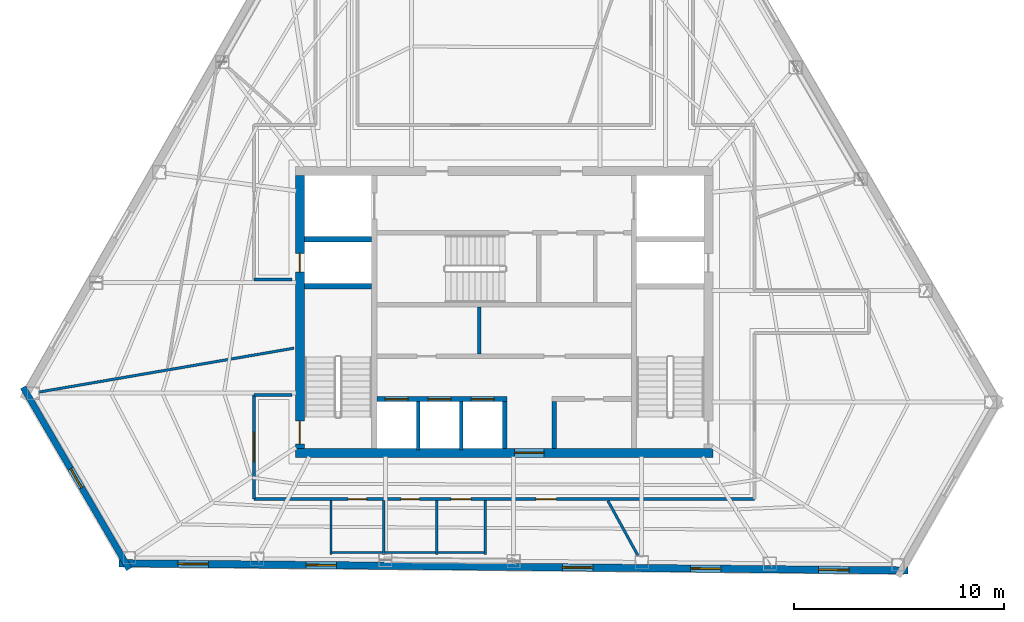
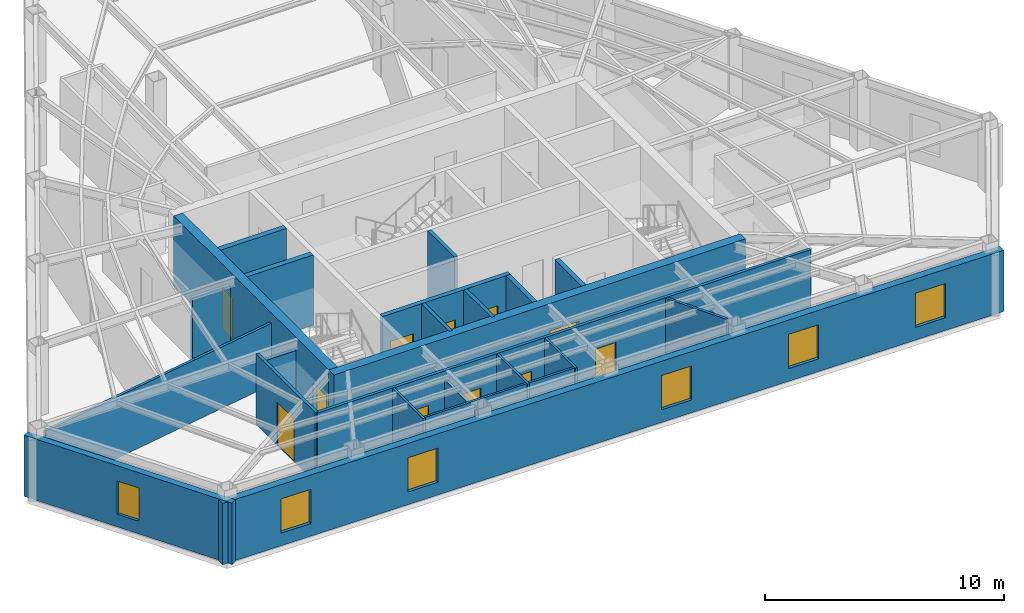
# One storey, part 7 of 10: 23 walls, 11 doors, 6 windows, 17 openings.
"""IFC4 building model written with IfcOpenShell, lengths in metres."""

from ifc_helpers import new_model, si_unit, direction, frame, frame_2d, origin, place, context, subcontext, project, spatial, rectangle, extrude, material, layer, layer_set, type_object, element, fill, save


model = new_model("IFC4")

# Units and contexts
model_context = context("Model", 3, precision=1e-05, world=origin(), true_north=direction((0.0, 1.0)))
body_context = subcontext(model_context, "Body", "Model", "MODEL_VIEW")
ifc_project = project(units=[si_unit("LENGTHUNIT", "METRE"), si_unit("AREAUNIT", "SQUARE_METRE"), si_unit("VOLUMEUNIT", "CUBIC_METRE"), si_unit("PLANEANGLEUNIT", "RADIAN"), si_unit("MASSUNIT", "GRAM", prefix="KILO")], contexts=[model_context])

# Site, building, storey
site_placement = place(None, origin())
site = spatial("IfcSite", under=ifc_project, at=site_placement, CompositionType="ELEMENT")
building_placement = place(site_placement, origin())
building = spatial("IfcBuilding", under=site, at=building_placement, Name="Kavelnor Concourse Tower", CompositionType="ELEMENT")
storey_placement = place(building_placement, frame((0.0, 0.0, 180.39990234375)))
storey = spatial("IfcBuildingStorey", under=building, at=storey_placement, Name="L45", CompositionType="ELEMENT", Elevation=180.39990234375)

# Wall, opening, door
ifc_material_1 = material(Name="Concrete C50/60", Category="concrete")
ifc_layer_1 = layer(ifc_material_1, 0.43994140625, Name="Concrete C50/60")
ifc_layer_set_1 = layer_set([ifc_layer_1], Name="Concrete C50/60")
wall_type_1 = type_object("IfcWallType", Name="WL-CORE-Z3-440", PredefinedType="SOLIDWALL", material=ifc_layer_set_1)
wall_1_placement = place(storey_placement, frame((28.0400390625, 9.3798828125, 0.0), z_axis=(0.0, 0.0, 1.0), x_axis=(1.0, 0.0, 0.0)))
wall_1 = element("IfcWall", 1, at=wall_1_placement, inside=storey, type_object=wall_type_1, Name="L45 Central Core South Shear Wall", PredefinedType="SOLIDWALL", context=body_context, shape_type="SweptSolid", body=[
    extrude(rectangle(XDim=19.919921875, YDim=0.43994140625, at=frame_2d((9.9599609375, 0.0))), origin(), (0.0, 0.0, 1.0), 3.60009765625),
])
opening_1_placement = place(wall_1_placement, frame((10.4599609375, 0.0, 0.0)))
opening_1 = element("IfcOpeningElement", 2, at=opening_1_placement, cuts=wall_1, Name="Opening SD-140", PredefinedType="OPENING", context=body_context, shape_type="SweptSolid", body=[
    extrude(rectangle(XDim=1.39990234375, YDim=2.199951171875, at=frame_2d((0.699951171875, 1.10009765625))), frame((0.0, 0.22998046875, 0.0), z_axis=(0.0, -1.0, 0.0), x_axis=(1.0, 0.0, 0.0)), (0.0, 0.0, 1.0), 0.4599609375),
])
ifc_material_2 = material(Name="Solid-core hardwood timber", Category="wood")
door_type_1 = type_object("IfcDoorType", Name="DR-SUITE-ENTRY-1400", OperationType="NOTDEFINED", PredefinedType="DOOR", material=ifc_material_2)
door_1_placement = place(opening_1_placement, origin())
door_1 = element("IfcDoor", 3, at=door_1_placement, inside=storey, type_object=door_type_1, Name="L45 Passenger Lift Lobby Entry Door", OperationType="SINGLE_SWING_RIGHT", OverallHeight=2.199951171875, OverallWidth=1.39990234375, PredefinedType="DOOR", context=body_context, shape_type="SweptSolid", body=[
    extrude(rectangle(XDim=1.39990234375, YDim=2.199951171875, at=frame_2d((0.699951171875, 1.10009765625))), frame((0.0, 0.02490234375, 0.0), z_axis=(0.0, -1.0, 0.0), x_axis=(1.0, 0.0, 0.0)), (0.0, 0.0, 1.0), 0.050048828125),
])
fill(opening_1, door_1)

# Wall, openings, doors
wall_2_placement = place(storey_placement, frame((28.260009765625, 9.60009765625, 0.0), z_axis=(0.0, 0.0, 1.0), x_axis=(0.0, 1.0, 0.0)))
wall_2 = element("IfcWall", 4, at=wall_2_placement, inside=storey, type_object=wall_type_1, Name="L45 Central Core West Shear Wall", PredefinedType="SOLIDWALL", context=body_context, shape_type="SweptSolid", body=[
    extrude(rectangle(XDim=13.0, YDim=0.43994140625, at=frame_2d((6.5, 0.0))), origin(), (0.0, 0.0, 1.0), 3.60009765625),
])
opening_2_placement = place(wall_2_placement, frame((0.199951171875, 0.0, 0.0)))
opening_2 = element("IfcOpeningElement", 5, at=opening_2_placement, cuts=wall_2, Name="Opening FD-110", PredefinedType="OPENING", context=body_context, shape_type="SweptSolid", body=[
    extrude(rectangle(XDim=1.10009765625, YDim=2.14990234375, at=frame_2d((0.550048828125, 1.074951171875))), frame((0.0, 0.22998046875, 0.0), z_axis=(0.0, -1.0, 0.0), x_axis=(1.0, 0.0, 0.0)), (0.0, 0.0, 1.0), 0.4599609375),
])
opening_3_placement = place(wall_2_placement, frame((8.39990234375, 0.0, 0.0)))
opening_3 = element("IfcOpeningElement", 6, at=opening_3_placement, cuts=wall_2, Name="Opening FD-090", PredefinedType="OPENING", context=body_context, shape_type="SweptSolid", body=[
    extrude(rectangle(XDim=0.89990234375, YDim=2.10009765625, at=frame_2d((0.449951171875, 1.050048828125))), frame((0.0, 0.22998046875, 0.0), z_axis=(0.0, -1.0, 0.0), x_axis=(1.0, 0.0, 0.0)), (0.0, 0.0, 1.0), 0.4599609375),
])
ifc_material_3 = material(Name="Steel Grade 350", Category="steel")
door_type_2 = type_object("IfcDoorType", Name="DR-RISER-FIRE-900", OperationType="NOTDEFINED", PredefinedType="DOOR", material=ifc_material_3)
door_2_placement = place(opening_3_placement, origin())
door_2 = element("IfcDoor", 7, at=door_2_placement, inside=storey, type_object=door_type_2, Name="L45 West Riser Access Door", OperationType="SINGLE_SWING_RIGHT", OverallHeight=2.10009765625, OverallWidth=0.89990234375, PredefinedType="DOOR", context=body_context, shape_type="SweptSolid", body=[
    extrude(rectangle(XDim=0.89990234375, YDim=2.10009765625, at=frame_2d((0.449951171875, 1.050048828125))), frame((0.0, 0.02490234375, 0.0), z_axis=(0.0, -1.0, 0.0), x_axis=(1.0, 0.0, 0.0)), (0.0, 0.0, 1.0), 0.050048828125),
])
fill(opening_3, door_2)
door_type_3 = type_object("IfcDoorType", Name="DR-STAIR-FIRE-1100", OperationType="NOTDEFINED", PredefinedType="DOOR", material=ifc_material_3)
door_3_placement = place(opening_2_placement, origin())
door_3 = element("IfcDoor", 8, at=door_3_placement, inside=storey, type_object=door_type_3, Name="L45 Stair ST1 Fire Door", OperationType="SINGLE_SWING_LEFT", OverallHeight=2.14990234375, OverallWidth=1.10009765625, PredefinedType="DOOR", context=body_context, shape_type="SweptSolid", body=[
    extrude(rectangle(XDim=1.10009765625, YDim=2.14990234375, at=frame_2d((0.550048828125, 1.074951171875))), frame((0.0, 0.02490234375, 0.0), z_axis=(0.0, -1.0, 0.0), x_axis=(1.0, 0.0, 0.0)), (0.0, 0.0, 1.0), 0.050048828125),
])
fill(opening_2, door_3)

# Wall, opening, window
ifc_material_4 = material(Name="Buff ironspot clay face brick masonry", Category="masonry")
ifc_layer_2 = layer(ifc_material_4, 0.300048828125, Name="Buff ironspot clay face brick masonry")
ifc_layer_set_2 = layer_set([ifc_layer_2], Name="Buff ironspot clay face brick masonry")
wall_type_2 = type_object("IfcWallType", Name="WL-EXT-BUFF-BRICK-FOLD-300", PredefinedType="STANDARD", material=ifc_layer_set_2)
wall_3_placement = place(storey_placement, frame((20.119873046875, 3.839111328125, 0.0), z_axis=(0.0, 0.0, 1.0), x_axis=(-0.503937564299, 0.863740083178, 0.0)))
wall_3 = element("IfcWall", 9, at=wall_3_placement, inside=storey, type_object=wall_type_2, Name="L45 Exterior Brick Facade Wall E2", PredefinedType="STANDARD", context=body_context, shape_type="SweptSolid", body=[
    extrude(rectangle(XDim=10.03759765625, YDim=0.300048828125, at=frame_2d((5.018798828125, 0.0))), origin(), (0.0, 0.0, 1.0), 3.132080078125),
])
opening_4_placement = place(wall_3_placement, frame((4.493896484375, 0.0, 0.64990234375)))
opening_4 = element("IfcOpeningElement", 10, at=opening_4_placement, cuts=wall_3, Name="Opening W-06", PredefinedType="OPENING", context=body_context, shape_type="SweptSolid", body=[
    extrude(rectangle(XDim=1.050048828125, YDim=1.699951171875, at=frame_2d((0.52490234375, 0.85009765625))), frame((0.0, 0.16015625, 0.0), z_axis=(0.0, -1.0, 0.0), x_axis=(1.0, 0.0, 0.0)), (0.0, 0.0, 1.0), 0.320068359375),
])
ifc_material_5 = material(Name="Double low-E argon insulated glazing", Category="glass")
window_type_1 = type_object("IfcWindowType", Name="WIN-FOLD-1050", PartitioningType="SINGLE_PANEL", PredefinedType="WINDOW", material=ifc_material_5)
window_1_placement = place(opening_4_placement, origin())
window_1 = element("IfcWindow", 11, at=window_1_placement, inside=storey, type_object=window_type_1, Name="L45 Chamfer-Fold Facet Window C1", OverallHeight=1.699951171875, OverallWidth=1.050048828125, PartitioningType="SINGLE_PANEL", PredefinedType="WINDOW", context=body_context, shape_type="SweptSolid", body=[
    extrude(rectangle(XDim=1.050048828125, YDim=1.699951171875, at=frame_2d((0.52490234375, 0.85009765625))), frame((0.0, 0.030029296875, 0.0), z_axis=(0.0, -1.0, 0.0), x_axis=(1.0, 0.0, 0.0)), (0.0, 0.0, 1.0), 0.06005859375),
])
fill(opening_4, window_1)

# Wall, openings, windows
ifc_material_6 = material(Name="Red-ochre clay face brick masonry", Category="masonry")
ifc_layer_3 = layer(ifc_material_6, 0.35009765625, Name="Red-ochre clay face brick masonry")
ifc_layer_set_3 = layer_set([ifc_layer_3], Name="Red-ochre clay face brick masonry")
wall_type_3 = type_object("IfcWallType", Name="WL-EXT-RED-BRICK-PIER-350", PredefinedType="STANDARD", material=ifc_layer_set_3)
wall_4_placement = place(storey_placement, frame((57.2587890625, 3.77294921875, 0.0), z_axis=(0.0, 0.0, 1.0), x_axis=(-0.999958016909, 0.009163210113, 0.0)))
wall_4 = element("IfcWall", 12, at=wall_4_placement, inside=storey, type_object=wall_type_3, Name="L45 Exterior Brick Facade Wall E3", PredefinedType="STANDARD", context=body_context, shape_type="SweptSolid", body=[
    extrude(rectangle(XDim=37.62060546875, YDim=0.35009765625, at=frame_2d((18.810302734375, 0.0))), origin(), (0.0, 0.0, 1.0), 3.132080078125),
])
opening_5_placement = place(wall_4_placement, frame((33.36767578125, 0.0, 0.64990234375)))
opening_5 = element("IfcOpeningElement", 13, at=opening_5_placement, cuts=wall_4, Name="Opening W-03", PredefinedType="OPENING", context=body_context, shape_type="SweptSolid", body=[
    extrude(rectangle(XDim=1.449951171875, YDim=1.75, at=frame_2d((0.72509765625, 0.875))), frame((0.0, 0.18505859375, 0.0), z_axis=(0.0, -1.0, 0.0), x_axis=(1.0, 0.0, 0.0)), (0.0, 0.0, 1.0), 0.3701171875),
])
opening_6_placement = place(wall_4_placement, frame((27.256591796875, 0.0, 0.64990234375)))
opening_6 = element("IfcOpeningElement", 14, at=opening_6_placement, cuts=wall_4, Name="Opening W-03", PredefinedType="OPENING", context=body_context, shape_type="SweptSolid", body=[
    extrude(rectangle(XDim=1.449951171875, YDim=1.75, at=frame_2d((0.72509765625, 0.875))), frame((0.0, 0.18505859375, 0.0), z_axis=(0.0, -1.0, 0.0), x_axis=(1.0, 0.0, 0.0)), (0.0, 0.0, 1.0), 0.3701171875),
])
opening_7_placement = place(wall_4_placement, frame((15.0341796875, 0.0, 0.64990234375)))
opening_7 = element("IfcOpeningElement", 15, at=opening_7_placement, cuts=wall_4, Name="Opening W-03", PredefinedType="OPENING", context=body_context, shape_type="SweptSolid", body=[
    extrude(rectangle(XDim=1.449951171875, YDim=1.75, at=frame_2d((0.72509765625, 0.875))), frame((0.0, 0.18505859375, 0.0), z_axis=(0.0, -1.0, 0.0), x_axis=(1.0, 0.0, 0.0)), (0.0, 0.0, 1.0), 0.3701171875),
])
opening_8_placement = place(wall_4_placement, frame((8.923095703125, 0.0, 0.64990234375)))
opening_8 = element("IfcOpeningElement", 16, at=opening_8_placement, cuts=wall_4, Name="Opening W-03", PredefinedType="OPENING", context=body_context, shape_type="SweptSolid", body=[
    extrude(rectangle(XDim=1.449951171875, YDim=1.75, at=frame_2d((0.72509765625, 0.875))), frame((0.0, 0.18505859375, 0.0), z_axis=(0.0, -1.0, 0.0), x_axis=(1.0, 0.0, 0.0)), (0.0, 0.0, 1.0), 0.3701171875),
])
opening_9_placement = place(wall_4_placement, frame((2.81201171875, 0.0, 0.64990234375)))
opening_9 = element("IfcOpeningElement", 17, at=opening_9_placement, cuts=wall_4, Name="Opening W-03", PredefinedType="OPENING", context=body_context, shape_type="SweptSolid", body=[
    extrude(rectangle(XDim=1.449951171875, YDim=1.75, at=frame_2d((0.72509765625, 0.875))), frame((0.0, 0.18505859375, 0.0), z_axis=(0.0, -1.0, 0.0), x_axis=(1.0, 0.0, 0.0)), (0.0, 0.0, 1.0), 0.3701171875),
])
window_type_2 = type_object("IfcWindowType", Name="WIN-PIER-Z3-1500", PartitioningType="SINGLE_PANEL", PredefinedType="WINDOW", material=ifc_material_5)
window_2_placement = place(opening_5_placement, origin())
window_2 = element("IfcWindow", 18, at=window_2_placement, inside=storey, type_object=window_type_2, Name="L45 Deep-Set Brick Pier Window F1-B0", OverallHeight=1.75, OverallWidth=1.449951171875, PartitioningType="SINGLE_PANEL", PredefinedType="WINDOW", context=body_context, shape_type="SweptSolid", body=[
    extrude(rectangle(XDim=1.449951171875, YDim=1.75, at=frame_2d((0.72509765625, 0.875))), frame((0.0, 0.030029296875, 0.0), z_axis=(0.0, -1.0, 0.0), x_axis=(1.0, 0.0, 0.0)), (0.0, 0.0, 1.0), 0.06005859375),
])
fill(opening_5, window_2)
window_3_placement = place(opening_6_placement, origin())
window_3 = element("IfcWindow", 19, at=window_3_placement, inside=storey, type_object=window_type_2, Name="L45 Deep-Set Brick Pier Window F1-B1", OverallHeight=1.75, OverallWidth=1.449951171875, PartitioningType="SINGLE_PANEL", PredefinedType="WINDOW", context=body_context, shape_type="SweptSolid", body=[
    extrude(rectangle(XDim=1.449951171875, YDim=1.75, at=frame_2d((0.72509765625, 0.875))), frame((0.0, 0.030029296875, 0.0), z_axis=(0.0, -1.0, 0.0), x_axis=(1.0, 0.0, 0.0)), (0.0, 0.0, 1.0), 0.06005859375),
])
fill(opening_6, window_3)
window_4_placement = place(opening_7_placement, origin())
window_4 = element("IfcWindow", 20, at=window_4_placement, inside=storey, type_object=window_type_2, Name="L45 Deep-Set Brick Pier Window F1-B3", OverallHeight=1.75, OverallWidth=1.449951171875, PartitioningType="SINGLE_PANEL", PredefinedType="WINDOW", context=body_context, shape_type="SweptSolid", body=[
    extrude(rectangle(XDim=1.449951171875, YDim=1.75, at=frame_2d((0.72509765625, 0.875))), frame((0.0, 0.030029296875, 0.0), z_axis=(0.0, -1.0, 0.0), x_axis=(1.0, 0.0, 0.0)), (0.0, 0.0, 1.0), 0.06005859375),
])
fill(opening_7, window_4)
window_5_placement = place(opening_8_placement, origin())
window_5 = element("IfcWindow", 21, at=window_5_placement, inside=storey, type_object=window_type_2, Name="L45 Deep-Set Brick Pier Window F1-B4", OverallHeight=1.75, OverallWidth=1.449951171875, PartitioningType="SINGLE_PANEL", PredefinedType="WINDOW", context=body_context, shape_type="SweptSolid", body=[
    extrude(rectangle(XDim=1.449951171875, YDim=1.75, at=frame_2d((0.72509765625, 0.875))), frame((0.0, 0.030029296875, 0.0), z_axis=(0.0, -1.0, 0.0), x_axis=(1.0, 0.0, 0.0)), (0.0, 0.0, 1.0), 0.06005859375),
])
fill(opening_8, window_5)
window_6_placement = place(opening_9_placement, origin())
window_6 = element("IfcWindow", 22, at=window_6_placement, inside=storey, type_object=window_type_2, Name="L45 Deep-Set Brick Pier Window F1-B5", OverallHeight=1.75, OverallWidth=1.449951171875, PartitioningType="SINGLE_PANEL", PredefinedType="WINDOW", context=body_context, shape_type="SweptSolid", body=[
    extrude(rectangle(XDim=1.449951171875, YDim=1.75, at=frame_2d((0.72509765625, 0.875))), frame((0.0, 0.030029296875, 0.0), z_axis=(0.0, -1.0, 0.0), x_axis=(1.0, 0.0, 0.0)), (0.0, 0.0, 1.0), 0.06005859375),
])
fill(opening_9, window_6)

# Wall
ifc_material_7 = material(Name="Gypsum plasterboard on light-gauge steel studs", Category="steel")
ifc_layer_4 = layer(ifc_material_7, 0.14501953125, Name="Gypsum plasterboard on light-gauge steel studs")
ifc_layer_set_4 = layer_set([ifc_layer_4], Name="Gypsum plasterboard on light-gauge steel studs")
wall_type_4 = type_object("IfcWallType", Name="WL-INT-CORR-145", PredefinedType="PARTITIONING", material=ifc_layer_set_4)
wall_5_placement = place(storey_placement, frame((27.8798828125, 17.64990234375, 0.0), z_axis=(0.0, 0.0, 1.0), x_axis=(-1.0, 0.0, 0.0)))
element("IfcWall", 23, at=wall_5_placement, inside=storey, type_object=wall_type_4, Name="L45 Corridor Wall WL-L45-CR-01", PredefinedType="PARTITIONING", context=body_context, shape_type="SweptSolid", body=[
    extrude(rectangle(XDim=1.81982421875, YDim=0.14501953125, at=frame_2d((0.909912109375, 0.0))), origin(), (0.0, 0.0, 1.0), 3.14111328125),
])

# Wall, openings, doors
wall_6_placement = place(storey_placement, frame((49.93994140625, 7.179931640625, 0.0), z_axis=(0.0, 0.0, 1.0), x_axis=(-1.0, 0.0, 0.0)))
wall_6 = element("IfcWall", 24, at=wall_6_placement, inside=storey, type_object=wall_type_4, Name="L45 Corridor Wall WL-L45-CR-17", PredefinedType="PARTITIONING", context=body_context, shape_type="SweptSolid", body=[
    extrude(rectangle(XDim=23.8798828125, YDim=0.14501953125, at=frame_2d((11.93994140625, 0.0))), origin(), (0.0, 0.0, 1.0), 3.60009765625),
])
opening_10_placement = place(wall_6_placement, frame((18.5, 0.0, 0.0)))
opening_10 = element("IfcOpeningElement", 25, at=opening_10_placement, cuts=wall_6, Name="Opening WD-088", PredefinedType="OPENING", context=body_context, shape_type="SweptSolid", body=[
    extrude(rectangle(XDim=0.8798828125, YDim=2.10009765625, at=frame_2d((0.43994140625, 1.050048828125))), frame((0.0, 0.08251953125, 0.0), z_axis=(0.0, -1.0, 0.0), x_axis=(1.0, 0.0, 0.0)), (0.0, 0.0, 1.0), 0.1650390625),
])
opening_11_placement = place(wall_6_placement, frame((15.97998046875, 0.0, 0.0)))
opening_11 = element("IfcOpeningElement", 26, at=opening_11_placement, cuts=wall_6, Name="Opening WD-088", PredefinedType="OPENING", context=body_context, shape_type="SweptSolid", body=[
    extrude(rectangle(XDim=0.8798828125, YDim=2.10009765625, at=frame_2d((0.43994140625, 1.050048828125))), frame((0.0, 0.08251953125, 0.0), z_axis=(0.0, -1.0, 0.0), x_axis=(1.0, 0.0, 0.0)), (0.0, 0.0, 1.0), 0.1650390625),
])
opening_12_placement = place(wall_6_placement, frame((13.52001953125, 0.0, 0.0)))
opening_12 = element("IfcOpeningElement", 27, at=opening_12_placement, cuts=wall_6, Name="Opening WD-096", PredefinedType="OPENING", context=body_context, shape_type="SweptSolid", body=[
    extrude(rectangle(XDim=0.9599609375, YDim=2.10009765625, at=frame_2d((0.47998046875, 1.050048828125))), frame((0.0, 0.08251953125, 0.0), z_axis=(0.0, -1.0, 0.0), x_axis=(1.0, 0.0, 0.0)), (0.0, 0.0, 1.0), 0.1650390625),
])
opening_13_placement = place(wall_6_placement, frame((9.44580078125, 0.0, 0.0)))
opening_13 = element("IfcOpeningElement", 28, at=opening_13_placement, cuts=wall_6, Name="Opening OD-098", PredefinedType="OPENING", context=body_context, shape_type="SweptSolid", body=[
    extrude(rectangle(XDim=0.97998046875, YDim=2.14990234375, at=frame_2d((0.489990234375, 1.074951171875))), frame((0.0, 0.08251953125, 0.0), z_axis=(0.0, -1.0, 0.0), x_axis=(1.0, 0.0, 0.0)), (0.0, 0.0, 1.0), 0.1650390625),
])
door_type_4 = type_object("IfcDoorType", Name="DR-OFFICE-980", OperationType="NOTDEFINED", PredefinedType="DOOR", material=ifc_material_2)
door_4_placement = place(opening_13_placement, origin())
door_4 = element("IfcDoor", 29, at=door_4_placement, inside=storey, type_object=door_type_4, Name="L45 Technical Reference Library 06 Door", OperationType="SINGLE_SWING_RIGHT", OverallHeight=2.14990234375, OverallWidth=0.97998046875, PredefinedType="DOOR", context=body_context, shape_type="SweptSolid", body=[
    extrude(rectangle(XDim=0.97998046875, YDim=2.14990234375, at=frame_2d((0.489990234375, 1.074951171875))), frame((0.0, 0.02490234375, 0.0), z_axis=(0.0, -1.0, 0.0), x_axis=(1.0, 0.0, 0.0)), (0.0, 0.0, 1.0), 0.050048828125),
])
fill(opening_13, door_4)
door_type_5 = type_object("IfcDoorType", Name="DR-WC-ACC-960", OperationType="NOTDEFINED", PredefinedType="DOOR", material=ifc_material_2)
door_5_placement = place(opening_12_placement, origin())
door_5 = element("IfcDoor", 30, at=door_5_placement, inside=storey, type_object=door_type_5, Name="L45 Accessible WC Door", OperationType="SINGLE_SWING_LEFT", OverallHeight=2.10009765625, OverallWidth=0.9599609375, PredefinedType="DOOR", context=body_context, shape_type="SweptSolid", body=[
    extrude(rectangle(XDim=0.9599609375, YDim=2.10009765625, at=frame_2d((0.47998046875, 1.050048828125))), frame((0.0, 0.02490234375, 0.0), z_axis=(0.0, -1.0, 0.0), x_axis=(1.0, 0.0, 0.0)), (0.0, 0.0, 1.0), 0.050048828125),
])
fill(opening_12, door_5)
door_type_6 = type_object("IfcDoorType", Name="DR-WC-STD-880", OperationType="NOTDEFINED", PredefinedType="DOOR", material=ifc_material_2)
door_6_placement = place(opening_10_placement, origin())
door_6 = element("IfcDoor", 31, at=door_6_placement, inside=storey, type_object=door_type_6, Name="L45 Male WC Door", OperationType="SINGLE_SWING_LEFT", OverallHeight=2.10009765625, OverallWidth=0.8798828125, PredefinedType="DOOR", context=body_context, shape_type="SweptSolid", body=[
    extrude(rectangle(XDim=0.8798828125, YDim=2.10009765625, at=frame_2d((0.43994140625, 1.050048828125))), frame((0.0, 0.02490234375, 0.0), z_axis=(0.0, -1.0, 0.0), x_axis=(1.0, 0.0, 0.0)), (0.0, 0.0, 1.0), 0.050048828125),
])
fill(opening_10, door_6)
door_7_placement = place(opening_11_placement, origin())
door_7 = element("IfcDoor", 32, at=door_7_placement, inside=storey, type_object=door_type_6, Name="L45 Female WC Door", OperationType="SINGLE_SWING_RIGHT", OverallHeight=2.10009765625, OverallWidth=0.8798828125, PredefinedType="DOOR", context=body_context, shape_type="SweptSolid", body=[
    extrude(rectangle(XDim=0.8798828125, YDim=2.10009765625, at=frame_2d((0.43994140625, 1.050048828125))), frame((0.0, 0.02490234375, 0.0), z_axis=(0.0, -1.0, 0.0), x_axis=(1.0, 0.0, 0.0)), (0.0, 0.0, 1.0), 0.050048828125),
])
fill(opening_11, door_7)

# Wall, opening, door
wall_7_placement = place(storey_placement, frame((26.06005859375, 7.179931640625, 0.0), z_axis=(0.0, 0.0, 1.0), x_axis=(0.0, 1.0, 0.0)))
wall_7 = element("IfcWall", 33, at=wall_7_placement, inside=storey, type_object=wall_type_4, Name="L45 Corridor Wall WL-L45-CR-18", PredefinedType="PARTITIONING", context=body_context, shape_type="SweptSolid", body=[
    extrude(rectangle(XDim=4.969970703125, YDim=0.14501953125, at=frame_2d((2.48486328125, 0.0))), origin(), (0.0, 0.0, 1.0), 3.60009765625),
])
opening_14_placement = place(wall_7_placement, frame((1.784912109375, 0.0, 0.0)))
opening_14 = element("IfcOpeningElement", 34, at=opening_14_placement, cuts=wall_7, Name="Opening SD-140", PredefinedType="OPENING", context=body_context, shape_type="SweptSolid", body=[
    extrude(rectangle(XDim=1.39990234375, YDim=2.199951171875, at=frame_2d((0.699951171875, 1.10009765625))), frame((0.0, 0.08251953125, 0.0), z_axis=(0.0, -1.0, 0.0), x_axis=(1.0, 0.0, 0.0)), (0.0, 0.0, 1.0), 0.1650390625),
])
door_8_placement = place(opening_14_placement, origin())
door_8 = element("IfcDoor", 35, at=door_8_placement, inside=storey, type_object=door_type_1, Name="L45 Technical Reference Library 05 Door", OperationType="SINGLE_SWING_LEFT", OverallHeight=2.199951171875, OverallWidth=1.39990234375, PredefinedType="DOOR", context=body_context, shape_type="SweptSolid", body=[
    extrude(rectangle(XDim=1.39990234375, YDim=2.199951171875, at=frame_2d((0.699951171875, 1.10009765625))), frame((0.0, 0.02490234375, 0.0), z_axis=(0.0, -1.0, 0.0), x_axis=(1.0, 0.0, 0.0)), (0.0, 0.0, 1.0), 0.050048828125),
])
fill(opening_14, door_8)

# Walls
wall_8_placement = place(storey_placement, frame((26.06005859375, 12.14990234375, 0.0), z_axis=(0.0, 0.0, 1.0), x_axis=(1.0, 0.0, 0.0)))
element("IfcWall", 36, at=wall_8_placement, inside=storey, type_object=wall_type_4, Name="L45 Corridor Wall WL-L45-CR-19", PredefinedType="PARTITIONING", context=body_context, shape_type="SweptSolid", body=[
    extrude(rectangle(XDim=1.81982421875, YDim=0.14501953125, at=frame_2d((0.909912109375, 0.0))), origin(), (0.0, 0.0, 1.0), 3.14111328125),
])
ifc_layer_5 = layer(ifc_material_7, 0.1650390625, Name="Gypsum plasterboard on light-gauge steel studs")
ifc_layer_set_5 = layer_set([ifc_layer_5], Name="Gypsum plasterboard on light-gauge steel studs")
wall_type_5 = type_object("IfcWallType", Name="WL-INT-FIRE-165", PredefinedType="PARTITIONING", material=ifc_layer_set_5)
for number, where, z_axis, x_axis, name in (
    (37, (33.89990234375, 9.52001953125, 0.0), (0.0, 0.0, 1.0), (0.0, 1.0, 0.0), "L45 Lift Shaft Divider LP7"),
    (38, (35.949951171875, 9.52001953125, 0.0), (0.0, 0.0, 1.0), (0.0, 1.0, 0.0), "L45 Lift Shaft Divider LP8"),
):
    element("IfcWall", number, at=place(storey_placement, frame(where, z_axis=z_axis, x_axis=x_axis)), inside=storey, type_object=wall_type_5, Name=name, PredefinedType="PARTITIONING", context=body_context, shape_type="SweptSolid", body=[
        extrude(rectangle(XDim=2.320068359375, YDim=0.1650390625, at=frame_2d((1.16015625, 0.0))), origin(), (0.0, 0.0, 1.0), 3.60009765625),
    ])
wall_9_placement = place(storey_placement, frame((36.800048828125, 14.10009765625, 0.0), z_axis=(0.0, 0.0, 1.0), x_axis=(0.0, 1.0, 0.0)))
element("IfcWall", 39, at=wall_9_placement, inside=storey, type_object=wall_type_5, Name="L45 Reclaimed Core Partition A", PredefinedType="PARTITIONING", context=body_context, shape_type="SweptSolid", body=[
    extrude(rectangle(XDim=2.239990234375, YDim=0.1650390625, at=frame_2d((1.1201171875, 0.0))), origin(), (0.0, 0.0, 1.0), 3.60009765625),
])
ifc_layer_6 = layer(ifc_material_7, 0.125, Name="Gypsum plasterboard on light-gauge steel studs")
ifc_layer_set_6 = layer_set([ifc_layer_6], Name="Gypsum plasterboard on light-gauge steel studs")
wall_type_6 = type_object("IfcWallType", Name="WL-INT-SUITE-125", PredefinedType="PARTITIONING", material=ifc_layer_set_6)
wall_10_placement = place(storey_placement, frame((27.97998046875, 14.375244140625, 0.0), z_axis=(0.0, 0.0, 1.0), x_axis=(-0.9855033492, -0.169655971646, 0.0)))
element("IfcWall", 40, at=wall_10_placement, inside=storey, type_object=wall_type_6, Name="L45 Radial Suite Partition 04", PredefinedType="PARTITIONING", context=body_context, shape_type="SweptSolid", body=[
    extrude(rectangle(XDim=12.315185546875, YDim=0.125, at=frame_2d((6.15771484375, 0.0))), origin(), (0.0, 0.0, 1.0), 3.14111328125),
])
wall_11_placement = place(storey_placement, frame((42.943359375, 7.099609375, 0.0), z_axis=(0.0, 0.0, 1.0), x_axis=(0.481352610258, -0.876527047271, 0.0)))
element("IfcWall", 41, at=wall_11_placement, inside=storey, type_object=wall_type_6, Name="L45 Radial Suite Partition 05", PredefinedType="PARTITIONING", context=body_context, shape_type="SweptSolid", body=[
    extrude(rectangle(XDim=2.980224609375, YDim=0.125, at=frame_2d((1.490234375, 0.0))), origin(), (0.0, 0.0, 1.0), 3.60009765625),
])
ifc_layer_7 = layer(ifc_material_7, 0.110107421875, Name="Gypsum plasterboard on light-gauge steel studs")
ifc_layer_set_7 = layer_set([ifc_layer_7], Name="Gypsum plasterboard on light-gauge steel studs")
wall_type_7 = type_object("IfcWallType", Name="WL-INT-WC-110", PredefinedType="PLUMBINGWALL", material=ifc_layer_set_7)
wall_12_placement = place(storey_placement, frame((29.739990234375, 4.530029296875, 0.0), z_axis=(0.0, 0.0, 1.0), x_axis=(0.0, 1.0, 0.0)))
element("IfcWall", 42, at=wall_12_placement, inside=storey, type_object=wall_type_7, Name="L45 Sanitary Partition WL-L45-WC-W", PredefinedType="PLUMBINGWALL", context=body_context, shape_type="SweptSolid", body=[
    extrude(rectangle(XDim=2.580078125, YDim=0.110107421875, at=frame_2d((1.2900390625, 0.0))), origin(), (0.0, 0.0, 1.0), 3.60009765625),
])
wall_13_placement = place(storey_placement, frame((32.260009765625, 4.530029296875, 0.0), z_axis=(0.0, 0.0, 1.0), x_axis=(0.0, 1.0, 0.0)))
element("IfcWall", 43, at=wall_13_placement, inside=storey, type_object=wall_type_7, Name="L45 Sanitary Partition WL-L45-WC-D1", PredefinedType="PLUMBINGWALL", context=body_context, shape_type="SweptSolid", body=[
    extrude(rectangle(XDim=2.580078125, YDim=0.110107421875, at=frame_2d((1.2900390625, 0.0))), origin(), (0.0, 0.0, 1.0), 3.14111328125),
])
for number, where, z_axis, x_axis, name in (
    (44, (34.780029296875, 4.530029296875, 0.0), (0.0, 0.0, 1.0), (0.0, 1.0, 0.0), "L45 Sanitary Partition WL-L45-WC-D2"),
    (45, (37.10009765625, 4.530029296875, 0.0), (0.0, 0.0, 1.0), (0.0, 1.0, 0.0), "L45 Sanitary Partition WL-L45-WC-E"),
):
    element("IfcWall", number, at=place(storey_placement, frame(where, z_axis=z_axis, x_axis=x_axis)), inside=storey, type_object=wall_type_7, Name=name, PredefinedType="PLUMBINGWALL", context=body_context, shape_type="SweptSolid", body=[
        extrude(rectangle(XDim=2.580078125, YDim=0.110107421875, at=frame_2d((1.2900390625, 0.0))), origin(), (0.0, 0.0, 1.0), 3.60009765625),
    ])
wall_14_placement = place(storey_placement, frame((29.68994140625, 4.6298828125, 0.0), z_axis=(0.0, 0.0, 1.0), x_axis=(1.0, 0.0, 0.0)))
element("IfcWall", 46, at=wall_14_placement, inside=storey, type_object=wall_type_7, Name="L45 Sanitary Partition WL-L45-WC-S", PredefinedType="PLUMBINGWALL", context=body_context, shape_type="SweptSolid", body=[
    extrude(rectangle(XDim=7.4599609375, YDim=0.110107421875, at=frame_2d((3.72998046875, 0.0))), origin(), (0.0, 0.0, 1.0), 3.60009765625),
])

# Wall, openings, doors
ifc_layer_8 = layer(ifc_material_1, 0.219970703125, Name="Concrete C50/60")
ifc_layer_set_8 = layer_set([ifc_layer_8], Name="Concrete C50/60")
wall_type_8 = type_object("IfcWallType", Name="WL-SHAFT-220", PredefinedType="SOLIDWALL", material=ifc_layer_set_8)
wall_15_placement = place(storey_placement, frame((31.93994140625, 11.949951171875, 0.0), z_axis=(0.0, 0.0, 1.0), x_axis=(1.0, 0.0, 0.0)))
wall_15 = element("IfcWall", 47, at=wall_15_placement, inside=storey, type_object=wall_type_8, Name="L45 High-Rise Lift Bank North Wall", PredefinedType="SOLIDWALL", context=body_context, shape_type="SweptSolid", body=[
    extrude(rectangle(XDim=6.18994140625, YDim=0.219970703125, at=frame_2d((3.094970703125, 0.0))), origin(), (0.0, 0.0, 1.0), 3.60009765625),
])
opening_15_placement = place(wall_15_placement, frame((0.385009765625, 0.0, 0.0)))
opening_15 = element("IfcOpeningElement", 48, at=opening_15_placement, cuts=wall_15, Name="Opening LD-110", PredefinedType="OPENING", context=body_context, shape_type="SweptSolid", body=[
    extrude(rectangle(XDim=1.10009765625, YDim=2.199951171875, at=frame_2d((0.550048828125, 1.10009765625))), frame((0.0, 0.1201171875, 0.0), z_axis=(0.0, -1.0, 0.0), x_axis=(1.0, 0.0, 0.0)), (0.0, 0.0, 1.0), 0.239990234375),
])
opening_16_placement = place(wall_15_placement, frame((2.43505859375, 0.0, 0.0)))
opening_16 = element("IfcOpeningElement", 49, at=opening_16_placement, cuts=wall_15, Name="Opening LD-110", PredefinedType="OPENING", context=body_context, shape_type="SweptSolid", body=[
    extrude(rectangle(XDim=1.10009765625, YDim=2.199951171875, at=frame_2d((0.550048828125, 1.10009765625))), frame((0.0, 0.1201171875, 0.0), z_axis=(0.0, -1.0, 0.0), x_axis=(1.0, 0.0, 0.0)), (0.0, 0.0, 1.0), 0.239990234375),
])
opening_17_placement = place(wall_15_placement, frame((4.485107421875, 0.0, 0.0)))
opening_17 = element("IfcOpeningElement", 50, at=opening_17_placement, cuts=wall_15, Name="Opening LD-110", PredefinedType="OPENING", context=body_context, shape_type="SweptSolid", body=[
    extrude(rectangle(XDim=1.10009765625, YDim=2.199951171875, at=frame_2d((0.550048828125, 1.10009765625))), frame((0.0, 0.1201171875, 0.0), z_axis=(0.0, -1.0, 0.0), x_axis=(1.0, 0.0, 0.0)), (0.0, 0.0, 1.0), 0.239990234375),
])
door_type_7 = type_object("IfcDoorType", Name="DR-LIFT-SLIDING-1100", OperationType="NOTDEFINED", PredefinedType="DOOR", material=ifc_material_3)
door_9_placement = place(opening_15_placement, origin())
door_9 = element("IfcDoor", 51, at=door_9_placement, inside=storey, type_object=door_type_7, Name="L45 Lift LP7 Landing Door", OperationType="DOUBLE_DOOR_SLIDING", OverallHeight=2.199951171875, OverallWidth=1.10009765625, PredefinedType="DOOR", context=body_context, shape_type="SweptSolid", body=[
    extrude(rectangle(XDim=1.10009765625, YDim=2.199951171875, at=frame_2d((0.550048828125, 1.10009765625))), frame((0.0, 0.02490234375, 0.0), z_axis=(0.0, -1.0, 0.0), x_axis=(1.0, 0.0, 0.0)), (0.0, 0.0, 1.0), 0.050048828125),
])
fill(opening_15, door_9)
door_10_placement = place(opening_16_placement, origin())
door_10 = element("IfcDoor", 52, at=door_10_placement, inside=storey, type_object=door_type_7, Name="L45 Lift LP8 Landing Door", OperationType="DOUBLE_DOOR_SLIDING", OverallHeight=2.199951171875, OverallWidth=1.10009765625, PredefinedType="DOOR", context=body_context, shape_type="SweptSolid", body=[
    extrude(rectangle(XDim=1.10009765625, YDim=2.199951171875, at=frame_2d((0.550048828125, 1.10009765625))), frame((0.0, 0.02490234375, 0.0), z_axis=(0.0, -1.0, 0.0), x_axis=(1.0, 0.0, 0.0)), (0.0, 0.0, 1.0), 0.050048828125),
])
fill(opening_16, door_10)
door_11_placement = place(opening_17_placement, origin())
door_11 = element("IfcDoor", 53, at=door_11_placement, inside=storey, type_object=door_type_7, Name="L45 Lift LP9 Landing Door", OperationType="DOUBLE_DOOR_SLIDING", OverallHeight=2.199951171875, OverallWidth=1.10009765625, PredefinedType="DOOR", context=body_context, shape_type="SweptSolid", body=[
    extrude(rectangle(XDim=1.10009765625, YDim=2.199951171875, at=frame_2d((0.550048828125, 1.10009765625))), frame((0.0, 0.02490234375, 0.0), z_axis=(0.0, -1.0, 0.0), x_axis=(1.0, 0.0, 0.0)), (0.0, 0.0, 1.0), 0.050048828125),
])
fill(opening_17, door_11)

# Walls
for number, where, z_axis, x_axis, name in (
    (54, (38.02001953125, 9.60009765625, 0.0), (0.0, 0.0, 1.0), (0.0, 1.0, 0.0), "L45 Lift Lobby Throat West Wall"),
    (55, (40.389892578125, 9.60009765625, 0.0), (0.0, 0.0, 1.0), (0.0, 1.0, 0.0), "L45 Lift Lobby Throat East Wall"),
):
    element("IfcWall", number, at=place(storey_placement, frame(where, z_axis=z_axis, x_axis=x_axis)), inside=storey, type_object=wall_type_8, Name=name, PredefinedType="SOLIDWALL", context=body_context, shape_type="SweptSolid", body=[
        extrude(rectangle(XDim=2.239990234375, YDim=0.219970703125, at=frame_2d((1.1201171875, 0.0))), origin(), (0.0, 0.0, 1.0), 3.60009765625),
    ])
ifc_layer_9 = layer(ifc_material_1, 0.260009765625, Name="Concrete C50/60")
ifc_layer_set_9 = layer_set([ifc_layer_9], Name="Concrete C50/60")
wall_type_9 = type_object("IfcWallType", Name="WL-SHAFT-260", PredefinedType="SHEAR", material=ifc_layer_set_9)
for number, where, z_axis, x_axis, name in (
    (56, (28.47998046875, 17.330078125, 0.0), (0.0, 0.0, 1.0), (1.0, 0.0, 0.0), "L45 Stair ST1 North Shaft Wall"),
    (57, (28.47998046875, 19.570068359375, 0.0), (0.0, 0.0, 1.0), (1.0, 0.0, 0.0), "L45 Emergency Lift FL1 South Shaft Wall"),
):
    element("IfcWall", number, at=place(storey_placement, frame(where, z_axis=z_axis, x_axis=x_axis)), inside=storey, type_object=wall_type_9, Name=name, PredefinedType="SHEAR", context=body_context, shape_type="SweptSolid", body=[
        extrude(rectangle(XDim=3.199951171875, YDim=0.260009765625, at=frame_2d((1.60009765625, 0.0))), origin(), (0.0, 0.0, 1.0), 3.60009765625),
    ])

save(model, "model.ifc")
